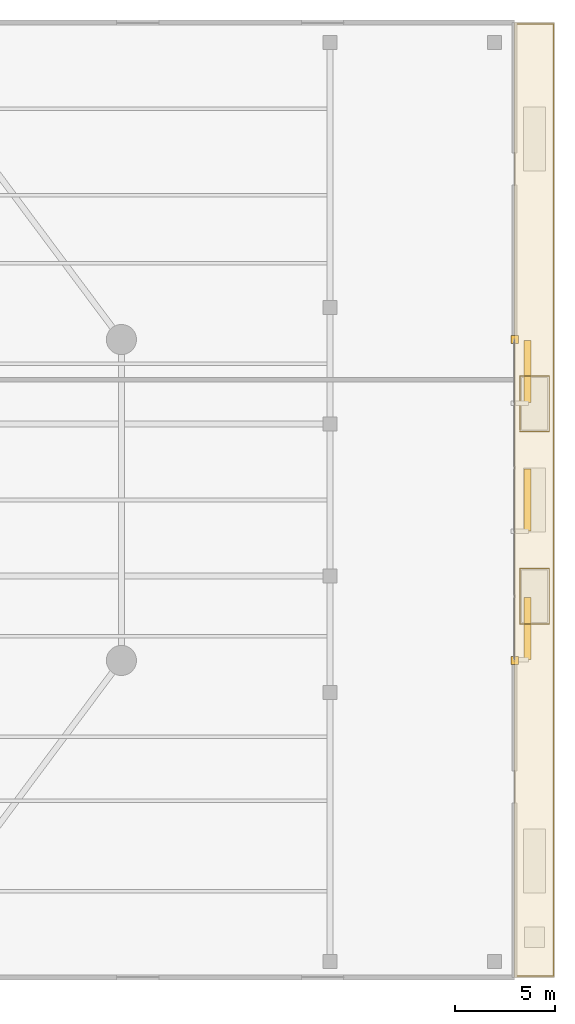
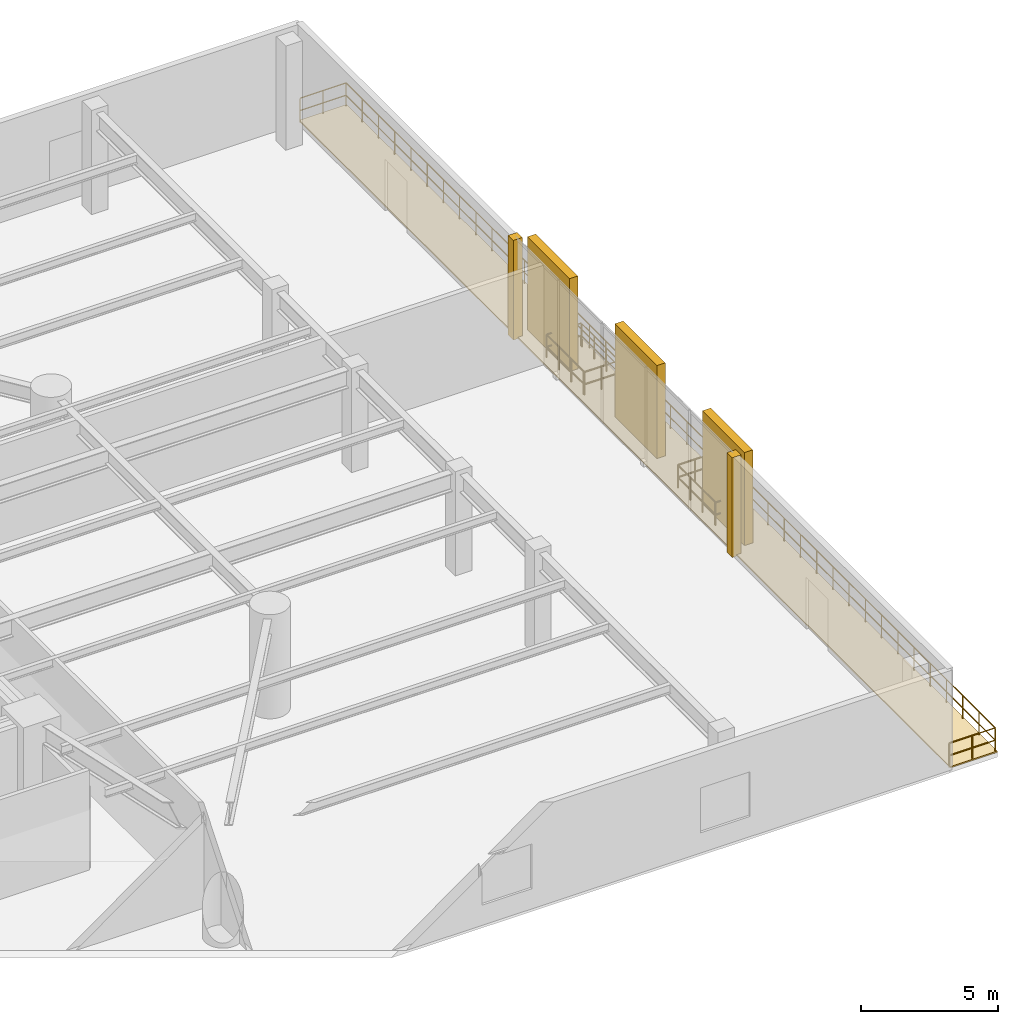
# One storey, part 15 of 15: 5 railings, 3 coverings, 3 shading devices.
"""IFC4 building model written with IfcOpenShell, lengths in metres."""

from ifc_helpers import new_model, si_unit, direction, frame, origin, origin_2d, place, context, subcontext, project, spatial, polyline, rectangle, circle, outline, extrude, material, layer, layer_set, type_object, element, save


model = new_model("IFC4")

# Units and contexts
model_context = context("Model", 3, precision=1e-05, world=origin(), true_north=direction((0.0, 1.0)))
body_context = subcontext(model_context, "Body", "Model", "MODEL_VIEW")
ifc_project = project(units=[si_unit("LENGTHUNIT", "METRE"), si_unit("AREAUNIT", "SQUARE_METRE"), si_unit("VOLUMEUNIT", "CUBIC_METRE"), si_unit("PLANEANGLEUNIT", "RADIAN"), si_unit("MASSUNIT", "GRAM", prefix="KILO")], contexts=[model_context])

# Site, building, storey
site_placement = place(None, origin())
site = spatial("IfcSite", under=ifc_project, at=site_placement, CompositionType="ELEMENT")
building_placement = place(site_placement, origin())
building = spatial("IfcBuilding", under=site, at=building_placement, Name="An Khanh Terracotta Commons", CompositionType="ELEMENT")
storey_placement = place(building_placement, frame((0.0, 0.0, 14.699951171875)))
storey = spatial("IfcBuildingStorey", under=building, at=storey_placement, Name="L04", CompositionType="ELEMENT", Elevation=14.699951171875)

# Coverings
ifc_material_1 = material(Name="Fired Terracotta Rainscreen Cladding", Category="masonry")
ifc_layer_1 = layer(ifc_material_1, 0.080078125, Name="Fired Terracotta Rainscreen Cladding")
ifc_layer_set_1 = layer_set([ifc_layer_1], Name="Fired Terracotta Rainscreen Cladding")
covering_type_1 = type_object("IfcCoveringType", Name="COV-JAMB-TERRA", PredefinedType="CLADDING", material=ifc_layer_set_1)
for number, where, z_axis, x_axis, name in (
    (1, (67.800048828125, 16.0, 0.0), (0.0, 0.0, 1.0), (1.0, 0.0, 0.0), "L04 CW-01 Curtain-Wall Jamb Closure JA"),
    (2, (67.800048828125, 32.0, 0.0), (0.0, 0.0, 1.0), (1.0, 0.0, 0.0), "L04 CW-01 Curtain-Wall Jamb Closure JB"),
):
    element("IfcCovering", number, at=place(storey_placement, frame(where, z_axis=z_axis, x_axis=x_axis)), inside=storey, type_object=covering_type_1, Name=name, PredefinedType="CLADDING", context=body_context, shape_type="SweptSolid", body=[
        extrude(rectangle(XDim=0.3798828125, YDim=0.3798828125, at=origin_2d()), origin(), (0.0, 0.0, 1.0), 4.449951171875),
    ])
ifc_material_2 = material(Name="Planted Garden Waterproofing Membrane")
ifc_layer_2 = layer(ifc_material_2, 0.080078125, Name="Planted Garden Waterproofing Membrane")
ifc_layer_set_2 = layer_set([ifc_layer_2], Name="Planted Garden Waterproofing Membrane")
covering_type_2 = type_object("IfcCoveringType", Name="COV-ROOFING-GREEN", PredefinedType="ROOFING", material=ifc_layer_set_2)
covering_placement = place(storey_placement, origin())
element("IfcCovering", 3, at=covering_placement, inside=storey, type_object=covering_type_2, Name="L04 Cascading Terrace Waterproofing and Drainage Mat", PredefinedType="ROOFING", context=body_context, shape_type="SweptSolid", body=[
    extrude(outline(polyline([(67.800048828125, 0.199951171875), (69.800048828125, 0.199951171875), (69.800048828125, 47.800048828125), (67.800048828125, 47.800048828125), (67.800048828125, 0.199951171875)])), origin(), (0.0, 0.0, 1.0), 0.06005859375),
])

# Railings
ifc_material_3 = material(Name="Brushed Stainless Steel 316", Category="steel")
railing_type = type_object("IfcRailingType", Name="RAIL-BALUSTRADE-1100", PredefinedType="BALUSTRADE", material=ifc_material_3)
railing_1_placement = place(storey_placement, frame((67.800048828125, 0.260009765625, 0.0)))
element("IfcRailing", 4, at=railing_1_placement, inside=storey, type_object=railing_type, Name="L04 Cascading Garden Terrace Balustrade", PredefinedType="BALUSTRADE", context=body_context, shape_type="SweptSolid", body=[
    extrude(circle(Radius=0.02392578125, at=origin_2d()), frame((0.0, 0.0, 1.076171875), z_axis=(1.0, 0.0, 0.0), x_axis=(0.0, 1.0, 0.0)), (0.0, 0.0, 1.0), 1.93994140625),
    extrude(circle(Radius=0.02392578125, at=origin_2d()), frame((0.0, 0.0, 0.52587890625), z_axis=(1.0, 0.0, 0.0), x_axis=(0.0, 1.0, 0.0)), (0.0, 0.0, 1.0), 1.93994140625),
    extrude(circle(Radius=0.02392578125, at=origin_2d()), frame((1.93994140625, 0.0, 1.076171875), z_axis=(0.0, 1.0, 0.0), x_axis=(-1.0, 0.0, 0.0)), (0.0, 0.0, 1.0), 47.47998046875),
    extrude(circle(Radius=0.02392578125, at=origin_2d()), frame((1.93994140625, 0.0, 0.52587890625), z_axis=(0.0, 1.0, 0.0), x_axis=(-1.0, 0.0, 0.0)), (0.0, 0.0, 1.0), 47.47998046875),
    extrude(circle(Radius=0.02392578125, at=origin_2d()), frame((1.93994140625, 47.47998046875, 1.076171875), z_axis=(-1.0, 0.0, 0.0), x_axis=(0.0, -1.0, 0.0)), (0.0, 0.0, 1.0), 1.93994140625),
    extrude(circle(Radius=0.02392578125, at=origin_2d()), frame((1.93994140625, 47.47998046875, 0.52587890625), z_axis=(-1.0, 0.0, 0.0), x_axis=(0.0, -1.0, 0.0)), (0.0, 0.0, 1.0), 1.93994140625),
    extrude(circle(Radius=0.02099609375, at=origin_2d()), origin(), (0.0, 0.0, 1.0), 1.052001953125),
    extrude(circle(Radius=0.02099609375, at=origin_2d()), frame((0.969970703125, 0.0, 0.0)), (0.0, 0.0, 1.0), 1.052001953125),
    extrude(circle(Radius=0.02099609375, at=origin_2d()), frame((1.93994140625, 0.0, 0.0)), (0.0, 0.0, 1.0), 1.052001953125),
    extrude(circle(Radius=0.02099609375, at=origin_2d()), frame((1.93994140625, 1.18701171875, 0.0)), (0.0, 0.0, 1.0), 1.052001953125),
    extrude(circle(Radius=0.02099609375, at=origin_2d()), frame((1.93994140625, 2.3740234375, 0.0)), (0.0, 0.0, 1.0), 1.052001953125),
    extrude(circle(Radius=0.02099609375, at=origin_2d()), frame((1.93994140625, 3.56103515625, 0.0)), (0.0, 0.0, 1.0), 1.052001953125),
    extrude(circle(Radius=0.02099609375, at=origin_2d()), frame((1.93994140625, 4.748046875, 0.0)), (0.0, 0.0, 1.0), 1.052001953125),
    extrude(circle(Radius=0.02099609375, at=origin_2d()), frame((1.93994140625, 5.93505859375, 0.0)), (0.0, 0.0, 1.0), 1.052001953125),
    extrude(circle(Radius=0.02099609375, at=origin_2d()), frame((1.93994140625, 7.1220703125, 0.0)), (0.0, 0.0, 1.0), 1.052001953125),
    extrude(circle(Radius=0.02099609375, at=origin_2d()), frame((1.93994140625, 8.30908203125, 0.0)), (0.0, 0.0, 1.0), 1.052001953125),
    extrude(circle(Radius=0.02099609375, at=origin_2d()), frame((1.93994140625, 9.49609375, 0.0)), (0.0, 0.0, 1.0), 1.052001953125),
    extrude(circle(Radius=0.02099609375, at=origin_2d()), frame((1.93994140625, 10.68310546875, 0.0)), (0.0, 0.0, 1.0), 1.052001953125),
    extrude(circle(Radius=0.02099609375, at=origin_2d()), frame((1.93994140625, 11.8701171875, 0.0)), (0.0, 0.0, 1.0), 1.052001953125),
    extrude(circle(Radius=0.02099609375, at=origin_2d()), frame((1.93994140625, 13.056884765625, 0.0)), (0.0, 0.0, 1.0), 1.052001953125),
    extrude(circle(Radius=0.02099609375, at=origin_2d()), frame((1.93994140625, 14.243896484375, 0.0)), (0.0, 0.0, 1.0), 1.052001953125),
    extrude(circle(Radius=0.02099609375, at=origin_2d()), frame((1.93994140625, 15.430908203125, 0.0)), (0.0, 0.0, 1.0), 1.052001953125),
    extrude(circle(Radius=0.02099609375, at=origin_2d()), frame((1.93994140625, 16.617919921875, 0.0)), (0.0, 0.0, 1.0), 1.052001953125),
    extrude(circle(Radius=0.02099609375, at=origin_2d()), frame((1.93994140625, 17.804931640625, 0.0)), (0.0, 0.0, 1.0), 1.052001953125),
    extrude(circle(Radius=0.02099609375, at=origin_2d()), frame((1.93994140625, 18.991943359375, 0.0)), (0.0, 0.0, 1.0), 1.052001953125),
    extrude(circle(Radius=0.02099609375, at=origin_2d()), frame((1.93994140625, 20.178955078125, 0.0)), (0.0, 0.0, 1.0), 1.052001953125),
    extrude(circle(Radius=0.02099609375, at=origin_2d()), frame((1.93994140625, 21.365966796875, 0.0)), (0.0, 0.0, 1.0), 1.052001953125),
    extrude(circle(Radius=0.02099609375, at=origin_2d()), frame((1.93994140625, 22.552978515625, 0.0)), (0.0, 0.0, 1.0), 1.052001953125),
    extrude(circle(Radius=0.02099609375, at=origin_2d()), frame((1.93994140625, 23.739990234375, 0.0)), (0.0, 0.0, 1.0), 1.052001953125),
    extrude(circle(Radius=0.02099609375, at=origin_2d()), frame((1.93994140625, 24.927001953125, 0.0)), (0.0, 0.0, 1.0), 1.052001953125),
    extrude(circle(Radius=0.02099609375, at=origin_2d()), frame((1.93994140625, 26.114013671875, 0.0)), (0.0, 0.0, 1.0), 1.052001953125),
    extrude(circle(Radius=0.02099609375, at=origin_2d()), frame((1.93994140625, 27.301025390625, 0.0)), (0.0, 0.0, 1.0), 1.052001953125),
    extrude(circle(Radius=0.02099609375, at=origin_2d()), frame((1.93994140625, 28.488037109375, 0.0)), (0.0, 0.0, 1.0), 1.052001953125),
    extrude(circle(Radius=0.02099609375, at=origin_2d()), frame((1.93994140625, 29.675048828125, 0.0)), (0.0, 0.0, 1.0), 1.052001953125),
    extrude(circle(Radius=0.02099609375, at=origin_2d()), frame((1.93994140625, 30.862060546875, 0.0)), (0.0, 0.0, 1.0), 1.052001953125),
    extrude(circle(Radius=0.02099609375, at=origin_2d()), frame((1.93994140625, 32.049072265625, 0.0)), (0.0, 0.0, 1.0), 1.052001953125),
    extrude(circle(Radius=0.02099609375, at=origin_2d()), frame((1.93994140625, 33.236083984375, 0.0)), (0.0, 0.0, 1.0), 1.052001953125),
    extrude(circle(Radius=0.02099609375, at=origin_2d()), frame((1.93994140625, 34.423095703125, 0.0)), (0.0, 0.0, 1.0), 1.052001953125),
    extrude(circle(Radius=0.02099609375, at=origin_2d()), frame((1.93994140625, 35.60986328125, 0.0)), (0.0, 0.0, 1.0), 1.052001953125),
    extrude(circle(Radius=0.02099609375, at=origin_2d()), frame((1.93994140625, 36.796875, 0.0)), (0.0, 0.0, 1.0), 1.052001953125),
    extrude(circle(Radius=0.02099609375, at=origin_2d()), frame((1.93994140625, 37.98388671875, 0.0)), (0.0, 0.0, 1.0), 1.052001953125),
    extrude(circle(Radius=0.02099609375, at=origin_2d()), frame((1.93994140625, 39.1708984375, 0.0)), (0.0, 0.0, 1.0), 1.052001953125),
    extrude(circle(Radius=0.02099609375, at=origin_2d()), frame((1.93994140625, 40.35791015625, 0.0)), (0.0, 0.0, 1.0), 1.052001953125),
    extrude(circle(Radius=0.02099609375, at=origin_2d()), frame((1.93994140625, 41.544921875, 0.0)), (0.0, 0.0, 1.0), 1.052001953125),
    extrude(circle(Radius=0.02099609375, at=origin_2d()), frame((1.93994140625, 42.73193359375, 0.0)), (0.0, 0.0, 1.0), 1.052001953125),
    extrude(circle(Radius=0.02099609375, at=origin_2d()), frame((1.93994140625, 43.9189453125, 0.0)), (0.0, 0.0, 1.0), 1.052001953125),
    extrude(circle(Radius=0.02099609375, at=origin_2d()), frame((1.93994140625, 45.10595703125, 0.0)), (0.0, 0.0, 1.0), 1.052001953125),
    extrude(circle(Radius=0.02099609375, at=origin_2d()), frame((1.93994140625, 46.29296875, 0.0)), (0.0, 0.0, 1.0), 1.052001953125),
    extrude(circle(Radius=0.02099609375, at=origin_2d()), frame((1.93994140625, 47.47998046875, 0.0)), (0.0, 0.0, 1.0), 1.052001953125),
    extrude(circle(Radius=0.02099609375, at=origin_2d()), frame((0.969970703125, 47.47998046875, 0.0)), (0.0, 0.0, 1.0), 1.052001953125),
    extrude(circle(Radius=0.02099609375, at=origin_2d()), frame((0.0, 47.47998046875, 0.0)), (0.0, 0.0, 1.0), 1.052001953125),
])
railing_2_placement = place(storey_placement, frame((68.070068359375, 17.820068359375, 0.0)))
element("IfcRailing", 5, at=railing_2_placement, inside=storey, type_object=railing_type, Name="L04 Terrace Skylight Guard 1A", PredefinedType="BALUSTRADE", context=body_context, shape_type="SweptSolid", body=[
    extrude(circle(Radius=0.02392578125, at=origin_2d()), frame((0.0, 0.0, 1.076171875), z_axis=(1.0, 0.0, 0.0), x_axis=(0.0, 1.0, 0.0)), (0.0, 0.0, 1.0), 1.4599609375),
    extrude(circle(Radius=0.02392578125, at=origin_2d()), frame((0.0, 0.0, 0.52587890625), z_axis=(1.0, 0.0, 0.0), x_axis=(0.0, 1.0, 0.0)), (0.0, 0.0, 1.0), 1.4599609375),
    extrude(circle(Radius=0.02392578125, at=origin_2d()), frame((1.4599609375, 0.0, 1.076171875), z_axis=(0.0, 1.0, 0.0), x_axis=(-1.0, 0.0, 0.0)), (0.0, 0.0, 1.0), 2.7099609375),
    extrude(circle(Radius=0.02392578125, at=origin_2d()), frame((1.4599609375, 0.0, 0.52587890625), z_axis=(0.0, 1.0, 0.0), x_axis=(-1.0, 0.0, 0.0)), (0.0, 0.0, 1.0), 2.7099609375),
    extrude(circle(Radius=0.02099609375, at=origin_2d()), origin(), (0.0, 0.0, 1.0), 1.052001953125),
    extrude(circle(Radius=0.02099609375, at=origin_2d()), frame((0.72998046875, 0.0, 0.0)), (0.0, 0.0, 1.0), 1.052001953125),
    extrude(circle(Radius=0.02099609375, at=origin_2d()), frame((1.4599609375, 0.0, 0.0)), (0.0, 0.0, 1.0), 1.052001953125),
    extrude(circle(Radius=0.02099609375, at=origin_2d()), frame((1.4599609375, 0.9033203125, 0.0)), (0.0, 0.0, 1.0), 1.052001953125),
    extrude(circle(Radius=0.02099609375, at=origin_2d()), frame((1.4599609375, 1.806640625, 0.0)), (0.0, 0.0, 1.0), 1.052001953125),
    extrude(circle(Radius=0.02099609375, at=origin_2d()), frame((1.4599609375, 2.7099609375, 0.0)), (0.0, 0.0, 1.0), 1.052001953125),
])
railing_3_placement = place(storey_placement, frame((69.530029296875, 20.580078125, 0.0)))
element("IfcRailing", 6, at=railing_3_placement, inside=storey, type_object=railing_type, Name="L04 Terrace Skylight Guard 1B", PredefinedType="BALUSTRADE", context=body_context, shape_type="SweptSolid", body=[
    extrude(circle(Radius=0.02392578125, at=origin_2d()), frame((0.0, 0.0, 1.076171875), z_axis=(-1.0, 0.0, 0.0), x_axis=(0.0, -1.0, 0.0)), (0.0, 0.0, 1.0), 1.4599609375),
    extrude(circle(Radius=0.02392578125, at=origin_2d()), frame((0.0, 0.0, 0.52587890625), z_axis=(-1.0, 0.0, 0.0), x_axis=(0.0, -1.0, 0.0)), (0.0, 0.0, 1.0), 1.4599609375),
    extrude(circle(Radius=0.02392578125, at=origin_2d()), frame((-1.4599609375, 0.0, 1.076171875), z_axis=(0.0, -1.0, 0.0), x_axis=(1.0, 0.0, 0.0)), (0.0, 0.0, 1.0), 2.7099609375),
    extrude(circle(Radius=0.02392578125, at=origin_2d()), frame((-1.4599609375, 0.0, 0.52587890625), z_axis=(0.0, -1.0, 0.0), x_axis=(1.0, 0.0, 0.0)), (0.0, 0.0, 1.0), 2.7099609375),
    extrude(circle(Radius=0.02099609375, at=origin_2d()), origin(), (0.0, 0.0, 1.0), 1.052001953125),
    extrude(circle(Radius=0.02099609375, at=origin_2d()), frame((-0.72998046875, 0.0, 0.0)), (0.0, 0.0, 1.0), 1.052001953125),
    extrude(circle(Radius=0.02099609375, at=origin_2d()), frame((-1.4599609375, 0.0, 0.0)), (0.0, 0.0, 1.0), 1.052001953125),
    extrude(circle(Radius=0.02099609375, at=origin_2d()), frame((-1.4599609375, -0.9033203125, 0.0)), (0.0, 0.0, 1.0), 1.052001953125),
    extrude(circle(Radius=0.02099609375, at=origin_2d()), frame((-1.4599609375, -1.806640625, 0.0)), (0.0, 0.0, 1.0), 1.052001953125),
    extrude(circle(Radius=0.02099609375, at=origin_2d()), frame((-1.4599609375, -2.7099609375, 0.0)), (0.0, 0.0, 1.0), 1.052001953125),
])
railing_4_placement = place(storey_placement, frame((68.070068359375, 27.419921875, 0.0)))
element("IfcRailing", 7, at=railing_4_placement, inside=storey, type_object=railing_type, Name="L04 Terrace Skylight Guard 2A", PredefinedType="BALUSTRADE", context=body_context, shape_type="SweptSolid", body=[
    extrude(circle(Radius=0.02392578125, at=origin_2d()), frame((0.0, 0.0, 1.076171875), z_axis=(1.0, 0.0, 0.0), x_axis=(0.0, 1.0, 0.0)), (0.0, 0.0, 1.0), 1.4599609375),
    extrude(circle(Radius=0.02392578125, at=origin_2d()), frame((0.0, 0.0, 0.52587890625), z_axis=(1.0, 0.0, 0.0), x_axis=(0.0, 1.0, 0.0)), (0.0, 0.0, 1.0), 1.4599609375),
    extrude(circle(Radius=0.02392578125, at=origin_2d()), frame((1.4599609375, 0.0, 1.076171875), z_axis=(0.0, 1.0, 0.0), x_axis=(-1.0, 0.0, 0.0)), (0.0, 0.0, 1.0), 2.7099609375),
    extrude(circle(Radius=0.02392578125, at=origin_2d()), frame((1.4599609375, 0.0, 0.52587890625), z_axis=(0.0, 1.0, 0.0), x_axis=(-1.0, 0.0, 0.0)), (0.0, 0.0, 1.0), 2.7099609375),
    extrude(circle(Radius=0.02099609375, at=origin_2d()), origin(), (0.0, 0.0, 1.0), 1.052001953125),
    extrude(circle(Radius=0.02099609375, at=origin_2d()), frame((0.72998046875, 0.0, 0.0)), (0.0, 0.0, 1.0), 1.052001953125),
    extrude(circle(Radius=0.02099609375, at=origin_2d()), frame((1.4599609375, 0.0, 0.0)), (0.0, 0.0, 1.0), 1.052001953125),
    extrude(circle(Radius=0.02099609375, at=origin_2d()), frame((1.4599609375, 0.9033203125, 0.0)), (0.0, 0.0, 1.0), 1.052001953125),
    extrude(circle(Radius=0.02099609375, at=origin_2d()), frame((1.4599609375, 1.806640625, 0.0)), (0.0, 0.0, 1.0), 1.052001953125),
    extrude(circle(Radius=0.02099609375, at=origin_2d()), frame((1.4599609375, 2.7099609375, 0.0)), (0.0, 0.0, 1.0), 1.052001953125),
])
railing_5_placement = place(storey_placement, frame((69.530029296875, 30.179931640625, 0.0)))
element("IfcRailing", 8, at=railing_5_placement, inside=storey, type_object=railing_type, Name="L04 Terrace Skylight Guard 2B", PredefinedType="BALUSTRADE", context=body_context, shape_type="SweptSolid", body=[
    extrude(circle(Radius=0.02392578125, at=origin_2d()), frame((0.0, 0.0, 1.076171875), z_axis=(-1.0, 0.0, 0.0), x_axis=(0.0, -1.0, 0.0)), (0.0, 0.0, 1.0), 1.4599609375),
    extrude(circle(Radius=0.02392578125, at=origin_2d()), frame((0.0, 0.0, 0.52587890625), z_axis=(-1.0, 0.0, 0.0), x_axis=(0.0, -1.0, 0.0)), (0.0, 0.0, 1.0), 1.4599609375),
    extrude(circle(Radius=0.02392578125, at=origin_2d()), frame((-1.4599609375, 0.0, 1.076171875), z_axis=(0.0, -1.0, 0.0), x_axis=(1.0, 0.0, 0.0)), (0.0, 0.0, 1.0), 2.7099609375),
    extrude(circle(Radius=0.02392578125, at=origin_2d()), frame((-1.4599609375, 0.0, 0.52587890625), z_axis=(0.0, -1.0, 0.0), x_axis=(1.0, 0.0, 0.0)), (0.0, 0.0, 1.0), 2.7099609375),
    extrude(circle(Radius=0.02099609375, at=origin_2d()), origin(), (0.0, 0.0, 1.0), 1.052001953125),
    extrude(circle(Radius=0.02099609375, at=origin_2d()), frame((-0.72998046875, 0.0, 0.0)), (0.0, 0.0, 1.0), 1.052001953125),
    extrude(circle(Radius=0.02099609375, at=origin_2d()), frame((-1.4599609375, 0.0, 0.0)), (0.0, 0.0, 1.0), 1.052001953125),
    extrude(circle(Radius=0.02099609375, at=origin_2d()), frame((-1.4599609375, -0.9033203125, 0.0)), (0.0, 0.0, 1.0), 1.052001953125),
    extrude(circle(Radius=0.02099609375, at=origin_2d()), frame((-1.4599609375, -1.806640625, 0.0)), (0.0, 0.0, 1.0), 1.052001953125),
    extrude(circle(Radius=0.02099609375, at=origin_2d()), frame((-1.4599609375, -2.7099609375, 0.0)), (0.0, 0.0, 1.0), 1.052001953125),
])

# Shading devices
ifc_material_4 = material(Name="Extruded Fired Terracotta", Category="masonry")
shading_device_type = type_object("IfcShadingDeviceType", Name="Terracotta Baguette Screen Assembly", PredefinedType="USERDEFINED", material=ifc_material_4)
for number, where, z_axis, x_axis, name in (
    (9, (68.449951171875, 17.60009765625, 0.150146484375), (0.0, 0.0, 1.0), (0.0, 1.0, 0.0), "L04 Terracotta Baguette Screen 1"),
    (10, (68.449951171875, 24.0, 0.150146484375), (0.0, 0.0, 1.0), (0.0, 1.0, 0.0), "L04 Terracotta Baguette Screen 3"),
    (11, (68.449951171875, 30.39990234375, 0.150146484375), (0.0, 0.0, 1.0), (0.0, 1.0, 0.0), "L04 Terracotta Baguette Screen 5"),
):
    element("IfcShadingDevice", number, at=place(storey_placement, frame(where, z_axis=z_axis, x_axis=x_axis)), inside=storey, type_object=shading_device_type, Name=name, ObjectType="BAGUETTE", PredefinedType="USERDEFINED", context=body_context, shape_type="SweptSolid", body=[
        extrude(rectangle(XDim=3.080078125, YDim=0.35009765625, at=origin_2d()), origin(), (0.0, 0.0, 1.0), 4.14990234375),
    ])

save(model, "model.ifc")
